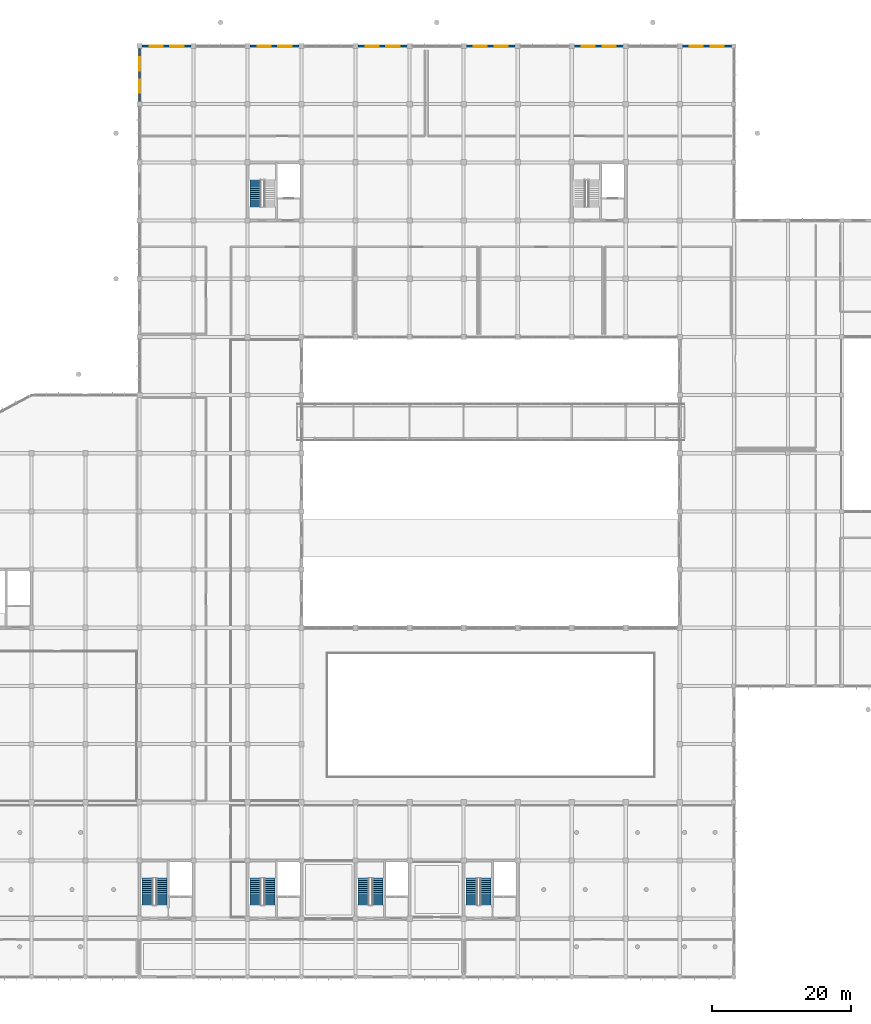
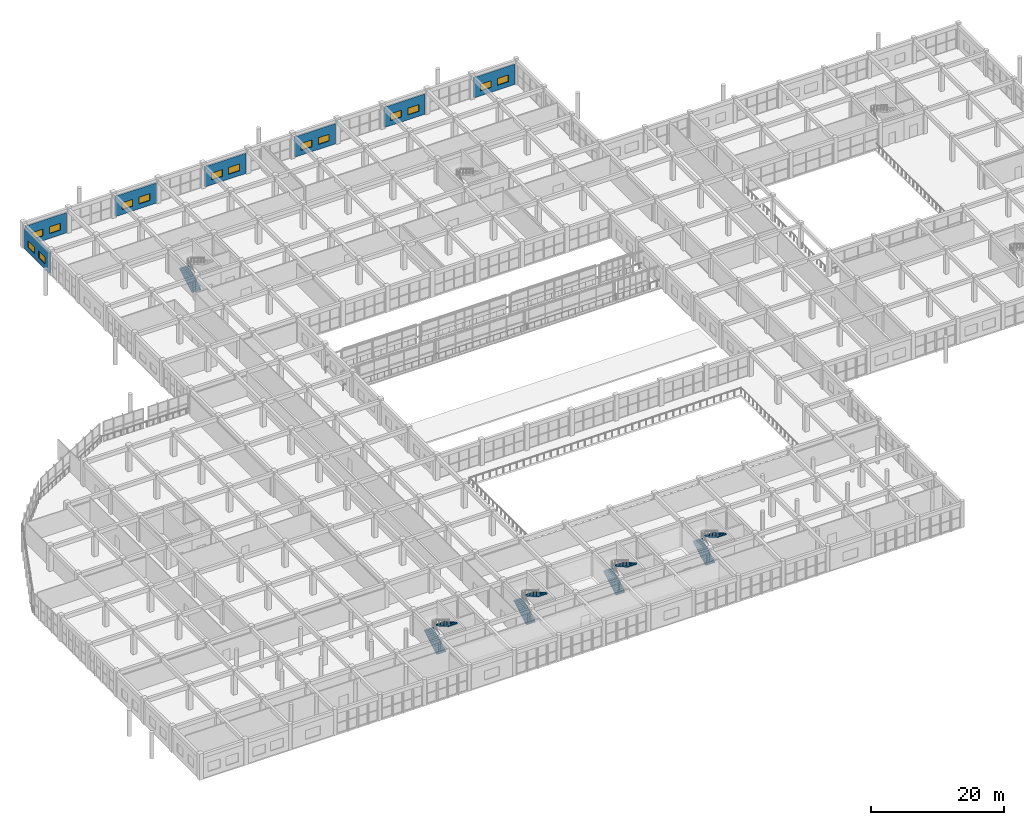
# One storey, part 159 of 167: 14 windows, 9 stair flights, 7 walls, 14 openings, 5 elements without a shape of their own.
"""IFC4 building model written with IfcOpenShell, lengths in metres."""

import ifcopenshell
import ifcopenshell.guid

model = None  # the IFC model being written
_history = None  # IfcOwnerHistory: only IFC2X3 demands one
_inside = {}  # id of a spatial element -> (the spatial element, [elements in it])
_under = {}  # id of a project, library or spatial element -> (it, [spatial elements below it])
_declared = {}  # id of a project -> (the project, [libraries it declares])
_typed = {}  # id of a type object -> (the type object, [elements of that type])
_made_of = {}  # id of a material, layer set ... -> (it, [elements and type objects made of it])


def new_model(schema):
    """Start an empty IFC model of exactly this schema.

    Asked for "IFC4X3", IfcOpenShell would pick the latest addendum, in which some entities
    have other attributes; the version numbers below select the first issue.
    IFC2X3 requires an IfcOwnerHistory on every rooted entity: one is made here for all.
    """
    global model, _history
    if schema == "IFC4X3":
        model = ifcopenshell.file(schema_version=(4, 3, 0, 0))
    else:
        model = ifcopenshell.file(schema=schema)
    _inside.clear()
    _under.clear()
    _declared.clear()
    _typed.clear()
    _made_of.clear()
    _history = None
    if model.schema == "IFC2X3":
        org = make("IfcOrganization", Name="unknown")
        user = make(
            "IfcPersonAndOrganization",
            ThePerson=make("IfcPerson", FamilyName="unknown"),
            TheOrganization=org,
        )
        app = make(
            "IfcApplication",
            ApplicationDeveloper=org,
            Version="unknown",
            ApplicationFullName="unknown",
            ApplicationIdentifier="unknown",
        )
        _history = make(
            "IfcOwnerHistory",
            OwningUser=user,
            OwningApplication=app,
            ChangeAction="ADDED",
            CreationDate=0,
        )
    return model


def make(cls, **values):
    """One entity of the class cls with the attributes given. An attribute that is None is left unset."""
    return model.create_entity(
        cls, **{name: value for name, value in values.items() if value is not None}
    )


def rooted(cls, **values):
    """An entity with a GlobalId (a new one), such as an element, a storey or a relation."""
    return make(cls, GlobalId=ifcopenshell.guid.new(), OwnerHistory=_history, **values)


def si_unit(unit_type, name, prefix=None):
    """IfcSIUnit, for example si_unit("LENGTHUNIT", "METRE", prefix="MILLI")."""
    return make("IfcSIUnit", UnitType=unit_type, Prefix=prefix, Name=name)


def assignment(units):
    """IfcUnitAssignment: the units of a project."""
    return None if units is None else make("IfcUnitAssignment", Units=units)


def point(xyz):
    """IfcCartesianPoint."""
    return None if xyz is None else make("IfcCartesianPoint", Coordinates=xyz)


def direction(xyz):
    """IfcDirection."""
    return None if xyz is None else make("IfcDirection", DirectionRatios=xyz)


def frame(location, z_axis=None, x_axis=None):
    """IfcAxis2Placement3D, a coordinate frame: its origin and axes. An axis left out is left unset."""
    return make(
        "IfcAxis2Placement3D",
        Location=point(location),
        Axis=direction(z_axis),
        RefDirection=direction(x_axis),
    )


def frame_2d(location, x_axis=None):
    """IfcAxis2Placement2D, a coordinate frame in the plane: its origin and x axis."""
    return make(
        "IfcAxis2Placement2D", Location=point(location), RefDirection=direction(x_axis)
    )


def origin():
    """The frame at (0, 0, 0) with its axes left unset."""
    return frame((0.0, 0.0, 0.0))


def place(relative_to, where):
    """IfcLocalPlacement: puts the frame where relative to a parent placement (None: the world)."""
    return make(
        "IfcLocalPlacement", PlacementRelTo=relative_to, RelativePlacement=where
    )


def context(
    kind, dimensions, precision=None, world=None, true_north=None, identifier=None
):
    """IfcGeometricRepresentationContext, for example the 3D "Model" context."""
    return make(
        "IfcGeometricRepresentationContext",
        ContextIdentifier=identifier,
        ContextType=kind,
        CoordinateSpaceDimension=dimensions,
        Precision=precision,
        WorldCoordinateSystem=world,
        TrueNorth=true_north,
    )


def subcontext(parent, identifier, kind, view, scale=None):
    """IfcGeometricRepresentationSubContext, for example "Body" below "Model"."""
    return make(
        "IfcGeometricRepresentationSubContext",
        ContextIdentifier=identifier,
        ContextType=kind,
        ParentContext=parent,
        TargetScale=scale,
        TargetView=view,
    )


def project(units=None, contexts=None):
    """IfcProject with its units and contexts."""
    return rooted(
        "IfcProject",
        Name="project",
        RepresentationContexts=contexts,
        UnitsInContext=assignment(units),
    )


def spatial(cls, under=None, at=None, **own):
    """A site, building, storey or space (cls), placed at a placement, below another one or the project."""
    s = rooted(cls, ObjectPlacement=at, **own)
    if under is not None:
        _under.setdefault(under.id(), (under, []))[1].append(s)
    return s


def polyline(points):
    """IfcPolyline through the points."""
    return make("IfcPolyline", Points=[point(p) for p in points])


def profile(cls, at=None, kind="AREA", **sizes):
    """A parametric profile (cls). Its sizes go by their IFC names, for example OverallWidth=200.0."""
    return make(cls, ProfileType=kind, Position=at, **sizes)


def rectangle(**sizes):
    """IfcRectangleProfileDef."""
    return profile("IfcRectangleProfileDef", **sizes)


def outline(outer, holes=None, kind="AREA"):
    """IfcArbitraryClosedProfileDef: a profile drawn as a closed curve; with holes, ...WithVoids."""
    if holes is None:
        return make("IfcArbitraryClosedProfileDef", ProfileType=kind, OuterCurve=outer)
    return make(
        "IfcArbitraryProfileDefWithVoids",
        ProfileType=kind,
        OuterCurve=outer,
        InnerCurves=holes,
    )


def extrude(swept, where, along, depth):
    """IfcExtrudedAreaSolid: the profile swept, set in the frame where, extruded along a direction by depth."""
    return make(
        "IfcExtrudedAreaSolid",
        SweptArea=swept,
        Position=where,
        ExtrudedDirection=direction(along),
        Depth=depth,
    )


def shape(context_of_items, identifier, shape_type, items):
    """IfcShapeRepresentation: the items that make up one representation, for example the "Body"."""
    return make(
        "IfcShapeRepresentation",
        ContextOfItems=context_of_items,
        RepresentationIdentifier=identifier,
        RepresentationType=shape_type,
        Items=items,
    )


def material(Name=None, Category=None):
    """IfcMaterial."""
    return make("IfcMaterial", Name=Name, Category=Category)


def layer(
    of_material, thickness, ventilated=None, Name=None, Category=None, Priority=None
):
    """IfcMaterialLayer: one layer of a wall or slab, of a material (None: an air gap)."""
    return make(
        "IfcMaterialLayer",
        Material=of_material,
        LayerThickness=thickness,
        IsVentilated=ventilated,
        Name=Name,
        Category=Category,
        Priority=Priority,
    )


def layer_set(layers, Name=None):
    """IfcMaterialLayerSet."""
    return make("IfcMaterialLayerSet", MaterialLayers=layers, LayerSetName=Name)


def made_of(thing, what):
    """Note that an element or type object is made of a material, layer set ...; save() writes the relation."""
    if what is not None:
        _made_of.setdefault(what.id(), (what, []))[1].append(thing)
    return thing


def type_object(cls, material=None, **own):
    """A type object (cls), such as IfcWallType, which elements share."""
    return made_of(rooted(cls, **own), material)


def element(
    cls,
    number,
    at=None,
    inside=None,
    cuts=None,
    type_object=None,
    material=None,
    context=None,
    identifier="Body",
    shape_type=None,
    held_by="IfcProductDefinitionShape",
    body=None,
    shapes=None,
    **own,
):
    """One element of the class cls, such as IfcWall. Its Tag is "e" and its number.

    at: its placement. inside: the storey or other place that contains it. cuts: it is an
    opening in that element (IfcRelVoidsElement). A single representation is given by context,
    identifier, shape_type and body (its items); several are given by shapes. held_by: the class
    of the entity that holds the representations. save() writes the other relations.
    """
    e = rooted(cls, Tag="e%d" % number, ObjectPlacement=at, **own)
    if body is not None:
        shapes = [shape(context, identifier, shape_type, body)]
    if shapes is not None:
        e.Representation = make(held_by, Representations=shapes)
    if inside is not None:
        _inside.setdefault(inside.id(), (inside, []))[1].append(e)
    if cuts is not None:
        rooted(
            "IfcRelVoidsElement", RelatingBuildingElement=cuts, RelatedOpeningElement=e
        )
    if type_object is not None:
        _typed.setdefault(type_object.id(), (type_object, []))[1].append(e)
    return made_of(e, material)


def fill(opening, filler):
    """IfcRelFillsElement: the door or window that sits in an opening."""
    return rooted(
        "IfcRelFillsElement",
        RelatingOpeningElement=opening,
        RelatedBuildingElement=filler,
    )


def aggregate(whole, parts):
    """IfcRelAggregates: a whole, such as a stair, and the parts it consists of."""
    return rooted("IfcRelAggregates", RelatingObject=whole, RelatedObjects=parts)


def save(model, path):
    """Write the relations noted so far, then the file.

    IfcRelAggregates (storeys below a building ...), IfcRelContainedInSpatialStructure (elements
    in a storey), IfcRelDefinesByType, IfcRelAssociatesMaterial and IfcRelDeclares: one each for
    every whole, place, type object, material and project.
    """
    for whole, parts in _under.values():
        aggregate(whole, parts)
    for where, things in _inside.values():
        rooted(
            "IfcRelContainedInSpatialStructure",
            RelatedElements=things,
            RelatingStructure=where,
        )
    for kind, things in _typed.values():
        rooted("IfcRelDefinesByType", RelatedObjects=things, RelatingType=kind)
    for what, things in _made_of.values():
        rooted("IfcRelAssociatesMaterial", RelatedObjects=things, RelatingMaterial=what)
    for by, libraries in _declared.values():
        rooted("IfcRelDeclares", RelatingContext=by, RelatedDefinitions=libraries)
    model.write(path)


model = new_model("IFC4")

# Units and contexts
model_context = context("Model", 3, precision=1e-05, world=origin(), true_north=direction((0.0, 1.0)))
body_context = subcontext(model_context, "Body", "Model", "MODEL_VIEW")
ifc_project = project(units=[si_unit("LENGTHUNIT", "METRE"), si_unit("AREAUNIT", "SQUARE_METRE"), si_unit("VOLUMEUNIT", "CUBIC_METRE"), si_unit("PLANEANGLEUNIT", "RADIAN"), si_unit("MASSUNIT", "GRAM", prefix="KILO")], contexts=[model_context])

# Site, building, storey
site_placement = place(None, origin())
site = spatial("IfcSite", under=ifc_project, at=site_placement, CompositionType="ELEMENT")
building_placement = place(site_placement, origin())
building = spatial("IfcBuilding", under=site, at=building_placement, Name="Zizhar Promenade General Hospital", CompositionType="ELEMENT")
storey_placement = place(building_placement, frame((0.0, 0.0, 9.60009765625)))
storey = spatial("IfcBuildingStorey", under=building, at=storey_placement, Name="L02", CompositionType="ELEMENT", Elevation=9.60009765625)

# Wall, openings, windows
ifc_material_1 = material(Name="Precast concrete C40/50", Category="concrete")
ifc_layer = layer(ifc_material_1, 0.27490234375)
ifc_layer_set = layer_set([ifc_layer], Name="Precast concrete C40/50")
wall_type = type_object("IfcWallType", Name="EW-PC-275", PredefinedType="STANDARD", material=ifc_layer_set)
wall_1_placement = place(storey_placement, frame((46.800048828125, 126.340087890625, 0.0), z_axis=(0.0, 0.0, 1.0), x_axis=(0.0, 1.0, 0.0)))
wall_1 = element("IfcWall", 1, at=wall_1_placement, inside=storey, type_object=wall_type, Name="Surgical West Wall L02-15", PredefinedType="STANDARD", context=body_context, shape_type="SweptSolid", body=[
    extrude(rectangle(XDim=7.719970703125, YDim=0.27490234375, at=frame_2d((3.85986328125, 0.0))), origin(), (0.0, 0.0, 1.0), 3.71484375),
])
opening_1_placement = place(wall_1_placement, frame((1.306640625, 0.0, 0.89990234375)))
opening_1 = element("IfcOpeningElement", 2, at=opening_1_placement, cuts=wall_1, Name="Opening W-24", PredefinedType="OPENING", context=body_context, shape_type="SweptSolid", body=[
    extrude(rectangle(XDim=1.89990234375, YDim=1.25, at=frame_2d((0.949951171875, 0.625))), frame((0.0, 0.1474609375, 0.0), z_axis=(0.0, -1.0, 0.0), x_axis=(1.0, 0.0, 0.0)), (0.0, 0.0, 1.0), 0.294921875),
])
opening_2_placement = place(wall_1_placement, frame((4.51318359375, 0.0, 0.89990234375)))
opening_2 = element("IfcOpeningElement", 3, at=opening_2_placement, cuts=wall_1, Name="Opening W-24", PredefinedType="OPENING", context=body_context, shape_type="SweptSolid", body=[
    extrude(rectangle(XDim=1.89990234375, YDim=1.25, at=frame_2d((0.949951171875, 0.625))), frame((0.0, 0.1474609375, 0.0), z_axis=(0.0, -1.0, 0.0), x_axis=(1.0, 0.0, 0.0)), (0.0, 0.0, 1.0), 0.294921875),
])
ifc_material_2 = material(Name="Anodised aluminium 6063-T6 and low-E glass", Category="aluminium")
window_type = type_object("IfcWindowType", Name="WIN-OR-190x125", PartitioningType="DOUBLE_PANEL_VERTICAL", PredefinedType="WINDOW", material=ifc_material_2)
window_1_placement = place(opening_1_placement, origin())
window_1 = element("IfcWindow", 4, at=window_1_placement, inside=storey, type_object=window_type, Name="Surgical West Wall L02-15 Window 1", OverallHeight=1.25, OverallWidth=1.89990234375, PartitioningType="SINGLE_PANEL", PredefinedType="WINDOW", context=body_context, shape_type="SweptSolid", body=[
    extrude(rectangle(XDim=1.89990234375, YDim=1.25, at=frame_2d((0.949951171875, 0.625))), frame((0.0, 0.030029296875, 0.0), z_axis=(0.0, -1.0, 0.0), x_axis=(1.0, 0.0, 0.0)), (0.0, 0.0, 1.0), 0.06005859375),
])
fill(opening_1, window_1)
window_2_placement = place(opening_2_placement, origin())
window_2 = element("IfcWindow", 5, at=window_2_placement, inside=storey, type_object=window_type, Name="Surgical West Wall L02-15 Window 2", OverallHeight=1.25, OverallWidth=1.89990234375, PartitioningType="SINGLE_PANEL", PredefinedType="WINDOW", context=body_context, shape_type="SweptSolid", body=[
    extrude(rectangle(XDim=1.89990234375, YDim=1.25, at=frame_2d((0.949951171875, 0.625))), frame((0.0, 0.030029296875, 0.0), z_axis=(0.0, -1.0, 0.0), x_axis=(1.0, 0.0, 0.0)), (0.0, 0.0, 1.0), 0.06005859375),
])
fill(opening_2, window_2)

wall_2_placement = place(storey_placement, frame((47.139892578125, 134.39990234375, 0.0), z_axis=(0.0, 0.0, 1.0), x_axis=(1.0, 0.0, 0.0)))
wall_2 = element("IfcWall", 6, at=wall_2_placement, inside=storey, type_object=wall_type, Name="Surgical North Wall L02-6", PredefinedType="STANDARD", context=body_context, shape_type="SweptSolid", body=[
    extrude(rectangle(XDim=7.1201171875, YDim=0.27490234375, at=frame_2d((3.56005859375, 0.0))), origin(), (0.0, 0.0, 1.0), 3.72998046875),
])
opening_3_placement = place(wall_2_placement, frame((1.106689453125, 0.0, 0.89990234375)))
opening_3 = element("IfcOpeningElement", 7, at=opening_3_placement, cuts=wall_2, Name="Opening W-24", PredefinedType="OPENING", context=body_context, shape_type="SweptSolid", body=[
    extrude(rectangle(XDim=1.89990234375, YDim=1.25, at=frame_2d((0.949951171875, 0.625))), frame((0.0, 0.1474609375, 0.0), z_axis=(0.0, -1.0, 0.0), x_axis=(1.0, 0.0, 0.0)), (0.0, 0.0, 1.0), 0.294921875),
])
opening_4_placement = place(wall_2_placement, frame((4.11328125, 0.0, 0.89990234375)))
opening_4 = element("IfcOpeningElement", 8, at=opening_4_placement, cuts=wall_2, Name="Opening W-24", PredefinedType="OPENING", context=body_context, shape_type="SweptSolid", body=[
    extrude(rectangle(XDim=1.89990234375, YDim=1.25, at=frame_2d((0.949951171875, 0.625))), frame((0.0, 0.1474609375, 0.0), z_axis=(0.0, -1.0, 0.0), x_axis=(1.0, 0.0, 0.0)), (0.0, 0.0, 1.0), 0.294921875),
])
window_3_placement = place(opening_3_placement, origin())
window_3 = element("IfcWindow", 9, at=window_3_placement, inside=storey, type_object=window_type, Name="Surgical North Wall L02-6 Window 1", OverallHeight=1.25, OverallWidth=1.89990234375, PartitioningType="SINGLE_PANEL", PredefinedType="WINDOW", context=body_context, shape_type="SweptSolid", body=[
    extrude(rectangle(XDim=1.89990234375, YDim=1.25, at=frame_2d((0.949951171875, 0.625))), frame((0.0, 0.030029296875, 0.0), z_axis=(0.0, -1.0, 0.0), x_axis=(1.0, 0.0, 0.0)), (0.0, 0.0, 1.0), 0.06005859375),
])
fill(opening_3, window_3)
window_4_placement = place(opening_4_placement, origin())
window_4 = element("IfcWindow", 10, at=window_4_placement, inside=storey, type_object=window_type, Name="Surgical North Wall L02-6 Window 2", OverallHeight=1.25, OverallWidth=1.89990234375, PartitioningType="SINGLE_PANEL", PredefinedType="WINDOW", context=body_context, shape_type="SweptSolid", body=[
    extrude(rectangle(XDim=1.89990234375, YDim=1.25, at=frame_2d((0.949951171875, 0.625))), frame((0.0, 0.030029296875, 0.0), z_axis=(0.0, -1.0, 0.0), x_axis=(1.0, 0.0, 0.0)), (0.0, 0.0, 1.0), 0.06005859375),
])
fill(opening_4, window_4)

wall_3_placement = place(storey_placement, frame((62.739990234375, 134.39990234375, 0.0), z_axis=(0.0, 0.0, 1.0), x_axis=(1.0, 0.0, 0.0)))
wall_3 = element("IfcWall", 11, at=wall_3_placement, inside=storey, type_object=wall_type, Name="Surgical North Wall L02-8", PredefinedType="STANDARD", context=body_context, shape_type="SweptSolid", body=[
    extrude(rectangle(XDim=7.1201171875, YDim=0.27490234375, at=frame_2d((3.56005859375, 0.0))), origin(), (0.0, 0.0, 1.0), 3.72998046875),
])
opening_5_placement = place(wall_3_placement, frame((1.106689453125, 0.0, 0.89990234375)))
opening_5 = element("IfcOpeningElement", 12, at=opening_5_placement, cuts=wall_3, Name="Opening W-24", PredefinedType="OPENING", context=body_context, shape_type="SweptSolid", body=[
    extrude(rectangle(XDim=1.89990234375, YDim=1.25, at=frame_2d((0.949951171875, 0.625))), frame((0.0, 0.1474609375, 0.0), z_axis=(0.0, -1.0, 0.0), x_axis=(1.0, 0.0, 0.0)), (0.0, 0.0, 1.0), 0.294921875),
])
opening_6_placement = place(wall_3_placement, frame((4.11328125, 0.0, 0.89990234375)))
opening_6 = element("IfcOpeningElement", 13, at=opening_6_placement, cuts=wall_3, Name="Opening W-24", PredefinedType="OPENING", context=body_context, shape_type="SweptSolid", body=[
    extrude(rectangle(XDim=1.89990234375, YDim=1.25, at=frame_2d((0.949951171875, 0.625))), frame((0.0, 0.1474609375, 0.0), z_axis=(0.0, -1.0, 0.0), x_axis=(1.0, 0.0, 0.0)), (0.0, 0.0, 1.0), 0.294921875),
])
window_5_placement = place(opening_5_placement, origin())
window_5 = element("IfcWindow", 14, at=window_5_placement, inside=storey, type_object=window_type, Name="Surgical North Wall L02-8 Window 1", OverallHeight=1.25, OverallWidth=1.89990234375, PartitioningType="SINGLE_PANEL", PredefinedType="WINDOW", context=body_context, shape_type="SweptSolid", body=[
    extrude(rectangle(XDim=1.89990234375, YDim=1.25, at=frame_2d((0.949951171875, 0.625))), frame((0.0, 0.030029296875, 0.0), z_axis=(0.0, -1.0, 0.0), x_axis=(1.0, 0.0, 0.0)), (0.0, 0.0, 1.0), 0.06005859375),
])
fill(opening_5, window_5)
window_6_placement = place(opening_6_placement, origin())
window_6 = element("IfcWindow", 15, at=window_6_placement, inside=storey, type_object=window_type, Name="Surgical North Wall L02-8 Window 2", OverallHeight=1.25, OverallWidth=1.89990234375, PartitioningType="SINGLE_PANEL", PredefinedType="WINDOW", context=body_context, shape_type="SweptSolid", body=[
    extrude(rectangle(XDim=1.89990234375, YDim=1.25, at=frame_2d((0.949951171875, 0.625))), frame((0.0, 0.030029296875, 0.0), z_axis=(0.0, -1.0, 0.0), x_axis=(1.0, 0.0, 0.0)), (0.0, 0.0, 1.0), 0.06005859375),
])
fill(opening_6, window_6)

wall_4_placement = place(storey_placement, frame((78.340087890625, 134.39990234375, 0.0), z_axis=(0.0, 0.0, 1.0), x_axis=(1.0, 0.0, 0.0)))
wall_4 = element("IfcWall", 16, at=wall_4_placement, inside=storey, type_object=wall_type, Name="Surgical North Wall L02-10", PredefinedType="STANDARD", context=body_context, shape_type="SweptSolid", body=[
    extrude(rectangle(XDim=7.119873046875, YDim=0.27490234375, at=frame_2d((3.56005859375, 0.0))), origin(), (0.0, 0.0, 1.0), 3.72998046875),
])
opening_7_placement = place(wall_4_placement, frame((1.106689453125, 0.0, 0.89990234375)))
opening_7 = element("IfcOpeningElement", 17, at=opening_7_placement, cuts=wall_4, Name="Opening W-24", PredefinedType="OPENING", context=body_context, shape_type="SweptSolid", body=[
    extrude(rectangle(XDim=1.89990234375, YDim=1.25, at=frame_2d((0.949951171875, 0.625))), frame((0.0, 0.1474609375, 0.0), z_axis=(0.0, -1.0, 0.0), x_axis=(1.0, 0.0, 0.0)), (0.0, 0.0, 1.0), 0.294921875),
])
opening_8_placement = place(wall_4_placement, frame((4.11328125, 0.0, 0.89990234375)))
opening_8 = element("IfcOpeningElement", 18, at=opening_8_placement, cuts=wall_4, Name="Opening W-24", PredefinedType="OPENING", context=body_context, shape_type="SweptSolid", body=[
    extrude(rectangle(XDim=1.89990234375, YDim=1.25, at=frame_2d((0.949951171875, 0.625))), frame((0.0, 0.1474609375, 0.0), z_axis=(0.0, -1.0, 0.0), x_axis=(1.0, 0.0, 0.0)), (0.0, 0.0, 1.0), 0.294921875),
])
window_7_placement = place(opening_7_placement, origin())
window_7 = element("IfcWindow", 19, at=window_7_placement, inside=storey, type_object=window_type, Name="Surgical North Wall L02-10 Window 1", OverallHeight=1.25, OverallWidth=1.89990234375, PartitioningType="SINGLE_PANEL", PredefinedType="WINDOW", context=body_context, shape_type="SweptSolid", body=[
    extrude(rectangle(XDim=1.89990234375, YDim=1.25, at=frame_2d((0.949951171875, 0.625))), frame((0.0, 0.030029296875, 0.0), z_axis=(0.0, -1.0, 0.0), x_axis=(1.0, 0.0, 0.0)), (0.0, 0.0, 1.0), 0.06005859375),
])
fill(opening_7, window_7)
window_8_placement = place(opening_8_placement, origin())
window_8 = element("IfcWindow", 20, at=window_8_placement, inside=storey, type_object=window_type, Name="Surgical North Wall L02-10 Window 2", OverallHeight=1.25, OverallWidth=1.89990234375, PartitioningType="SINGLE_PANEL", PredefinedType="WINDOW", context=body_context, shape_type="SweptSolid", body=[
    extrude(rectangle(XDim=1.89990234375, YDim=1.25, at=frame_2d((0.949951171875, 0.625))), frame((0.0, 0.030029296875, 0.0), z_axis=(0.0, -1.0, 0.0), x_axis=(1.0, 0.0, 0.0)), (0.0, 0.0, 1.0), 0.06005859375),
])
fill(opening_8, window_8)

wall_5_placement = place(storey_placement, frame((93.93994140625, 134.39990234375, 0.0), z_axis=(0.0, 0.0, 1.0), x_axis=(1.0, 0.0, 0.0)))
wall_5 = element("IfcWall", 21, at=wall_5_placement, inside=storey, type_object=wall_type, Name="Surgical North Wall L02-12", PredefinedType="STANDARD", context=body_context, shape_type="SweptSolid", body=[
    extrude(rectangle(XDim=7.1201171875, YDim=0.27490234375, at=frame_2d((3.56005859375, 0.0))), origin(), (0.0, 0.0, 1.0), 3.72998046875),
])
opening_9_placement = place(wall_5_placement, frame((1.106689453125, 0.0, 0.89990234375)))
opening_9 = element("IfcOpeningElement", 22, at=opening_9_placement, cuts=wall_5, Name="Opening W-24", PredefinedType="OPENING", context=body_context, shape_type="SweptSolid", body=[
    extrude(rectangle(XDim=1.89990234375, YDim=1.25, at=frame_2d((0.949951171875, 0.625))), frame((0.0, 0.1474609375, 0.0), z_axis=(0.0, -1.0, 0.0), x_axis=(1.0, 0.0, 0.0)), (0.0, 0.0, 1.0), 0.294921875),
])
opening_10_placement = place(wall_5_placement, frame((4.11328125, 0.0, 0.89990234375)))
opening_10 = element("IfcOpeningElement", 23, at=opening_10_placement, cuts=wall_5, Name="Opening W-24", PredefinedType="OPENING", context=body_context, shape_type="SweptSolid", body=[
    extrude(rectangle(XDim=1.89990234375, YDim=1.25, at=frame_2d((0.949951171875, 0.625))), frame((0.0, 0.1474609375, 0.0), z_axis=(0.0, -1.0, 0.0), x_axis=(1.0, 0.0, 0.0)), (0.0, 0.0, 1.0), 0.294921875),
])
window_9_placement = place(opening_9_placement, origin())
window_9 = element("IfcWindow", 24, at=window_9_placement, inside=storey, type_object=window_type, Name="Surgical North Wall L02-12 Window 1", OverallHeight=1.25, OverallWidth=1.89990234375, PartitioningType="SINGLE_PANEL", PredefinedType="WINDOW", context=body_context, shape_type="SweptSolid", body=[
    extrude(rectangle(XDim=1.89990234375, YDim=1.25, at=frame_2d((0.949951171875, 0.625))), frame((0.0, 0.030029296875, 0.0), z_axis=(0.0, -1.0, 0.0), x_axis=(1.0, 0.0, 0.0)), (0.0, 0.0, 1.0), 0.06005859375),
])
fill(opening_9, window_9)
window_10_placement = place(opening_10_placement, origin())
window_10 = element("IfcWindow", 25, at=window_10_placement, inside=storey, type_object=window_type, Name="Surgical North Wall L02-12 Window 2", OverallHeight=1.25, OverallWidth=1.89990234375, PartitioningType="SINGLE_PANEL", PredefinedType="WINDOW", context=body_context, shape_type="SweptSolid", body=[
    extrude(rectangle(XDim=1.89990234375, YDim=1.25, at=frame_2d((0.949951171875, 0.625))), frame((0.0, 0.030029296875, 0.0), z_axis=(0.0, -1.0, 0.0), x_axis=(1.0, 0.0, 0.0)), (0.0, 0.0, 1.0), 0.06005859375),
])
fill(opening_10, window_10)

wall_6_placement = place(storey_placement, frame((109.5400390625, 134.39990234375, 0.0), z_axis=(0.0, 0.0, 1.0), x_axis=(1.0, 0.0, 0.0)))
wall_6 = element("IfcWall", 26, at=wall_6_placement, inside=storey, type_object=wall_type, Name="Surgical North Wall L02-14", PredefinedType="STANDARD", context=body_context, shape_type="SweptSolid", body=[
    extrude(rectangle(XDim=7.119873046875, YDim=0.27490234375, at=frame_2d((3.56005859375, 0.0))), origin(), (0.0, 0.0, 1.0), 3.72998046875),
])
opening_11_placement = place(wall_6_placement, frame((1.106689453125, 0.0, 0.89990234375)))
opening_11 = element("IfcOpeningElement", 27, at=opening_11_placement, cuts=wall_6, Name="Opening W-24", PredefinedType="OPENING", context=body_context, shape_type="SweptSolid", body=[
    extrude(rectangle(XDim=1.89990234375, YDim=1.25, at=frame_2d((0.949951171875, 0.625))), frame((0.0, 0.1474609375, 0.0), z_axis=(0.0, -1.0, 0.0), x_axis=(1.0, 0.0, 0.0)), (0.0, 0.0, 1.0), 0.294921875),
])
opening_12_placement = place(wall_6_placement, frame((4.11328125, 0.0, 0.89990234375)))
opening_12 = element("IfcOpeningElement", 28, at=opening_12_placement, cuts=wall_6, Name="Opening W-24", PredefinedType="OPENING", context=body_context, shape_type="SweptSolid", body=[
    extrude(rectangle(XDim=1.89990234375, YDim=1.25, at=frame_2d((0.949951171875, 0.625))), frame((0.0, 0.1474609375, 0.0), z_axis=(0.0, -1.0, 0.0), x_axis=(1.0, 0.0, 0.0)), (0.0, 0.0, 1.0), 0.294921875),
])
window_11_placement = place(opening_11_placement, origin())
window_11 = element("IfcWindow", 29, at=window_11_placement, inside=storey, type_object=window_type, Name="Surgical North Wall L02-14 Window 1", OverallHeight=1.25, OverallWidth=1.89990234375, PartitioningType="SINGLE_PANEL", PredefinedType="WINDOW", context=body_context, shape_type="SweptSolid", body=[
    extrude(rectangle(XDim=1.89990234375, YDim=1.25, at=frame_2d((0.949951171875, 0.625))), frame((0.0, 0.030029296875, 0.0), z_axis=(0.0, -1.0, 0.0), x_axis=(1.0, 0.0, 0.0)), (0.0, 0.0, 1.0), 0.06005859375),
])
fill(opening_11, window_11)
window_12_placement = place(opening_12_placement, origin())
window_12 = element("IfcWindow", 30, at=window_12_placement, inside=storey, type_object=window_type, Name="Surgical North Wall L02-14 Window 2", OverallHeight=1.25, OverallWidth=1.89990234375, PartitioningType="SINGLE_PANEL", PredefinedType="WINDOW", context=body_context, shape_type="SweptSolid", body=[
    extrude(rectangle(XDim=1.89990234375, YDim=1.25, at=frame_2d((0.949951171875, 0.625))), frame((0.0, 0.030029296875, 0.0), z_axis=(0.0, -1.0, 0.0), x_axis=(1.0, 0.0, 0.0)), (0.0, 0.0, 1.0), 0.06005859375),
])
fill(opening_12, window_12)

wall_7_placement = place(storey_placement, frame((125.139892578125, 134.39990234375, 0.0), z_axis=(0.0, 0.0, 1.0), x_axis=(1.0, 0.0, 0.0)))
wall_7 = element("IfcWall", 31, at=wall_7_placement, inside=storey, type_object=wall_type, Name="Surgical North Wall L02-16", PredefinedType="STANDARD", context=body_context, shape_type="SweptSolid", body=[
    extrude(rectangle(XDim=7.1201171875, YDim=0.27490234375, at=frame_2d((3.56005859375, 0.0))), origin(), (0.0, 0.0, 1.0), 3.72998046875),
])
opening_13_placement = place(wall_7_placement, frame((1.106689453125, 0.0, 0.89990234375)))
opening_13 = element("IfcOpeningElement", 32, at=opening_13_placement, cuts=wall_7, Name="Opening W-24", PredefinedType="OPENING", context=body_context, shape_type="SweptSolid", body=[
    extrude(rectangle(XDim=1.89990234375, YDim=1.25, at=frame_2d((0.949951171875, 0.625))), frame((0.0, 0.1474609375, 0.0), z_axis=(0.0, -1.0, 0.0), x_axis=(1.0, 0.0, 0.0)), (0.0, 0.0, 1.0), 0.294921875),
])
opening_14_placement = place(wall_7_placement, frame((4.11328125, 0.0, 0.89990234375)))
opening_14 = element("IfcOpeningElement", 33, at=opening_14_placement, cuts=wall_7, Name="Opening W-24", PredefinedType="OPENING", context=body_context, shape_type="SweptSolid", body=[
    extrude(rectangle(XDim=1.89990234375, YDim=1.25, at=frame_2d((0.949951171875, 0.625))), frame((0.0, 0.1474609375, 0.0), z_axis=(0.0, -1.0, 0.0), x_axis=(1.0, 0.0, 0.0)), (0.0, 0.0, 1.0), 0.294921875),
])
window_13_placement = place(opening_13_placement, origin())
window_13 = element("IfcWindow", 34, at=window_13_placement, inside=storey, type_object=window_type, Name="Surgical North Wall L02-16 Window 1", OverallHeight=1.25, OverallWidth=1.89990234375, PartitioningType="SINGLE_PANEL", PredefinedType="WINDOW", context=body_context, shape_type="SweptSolid", body=[
    extrude(rectangle(XDim=1.89990234375, YDim=1.25, at=frame_2d((0.949951171875, 0.625))), frame((0.0, 0.030029296875, 0.0), z_axis=(0.0, -1.0, 0.0), x_axis=(1.0, 0.0, 0.0)), (0.0, 0.0, 1.0), 0.06005859375),
])
fill(opening_13, window_13)
window_14_placement = place(opening_14_placement, origin())
window_14 = element("IfcWindow", 35, at=window_14_placement, inside=storey, type_object=window_type, Name="Surgical North Wall L02-16 Window 2", OverallHeight=1.25, OverallWidth=1.89990234375, PartitioningType="SINGLE_PANEL", PredefinedType="WINDOW", context=body_context, shape_type="SweptSolid", body=[
    extrude(rectangle(XDim=1.89990234375, YDim=1.25, at=frame_2d((0.949951171875, 0.625))), frame((0.0, 0.030029296875, 0.0), z_axis=(0.0, -1.0, 0.0), x_axis=(1.0, 0.0, 0.0)), (0.0, 0.0, 1.0), 0.06005859375),
])
fill(opening_14, window_14)

# Stair, stair flights
ifc_material_3 = material(Name="Concrete C35/45", Category="concrete")
stair_type = type_object("IfcStairType", Name="STR-DOG-480", PredefinedType="HALF_TURN_STAIR", material=ifc_material_3)
stair_1_placement = place(storey_placement, origin())
stair_1 = element("IfcStair", 36, at=stair_1_placement, inside=storey, type_object=stair_type, Name="Exit Stair ST-02 (L02 to L03)", PredefinedType="HALF_TURN_STAIR")
ifc_material_4 = material(Name="Concrete C35/45", Category="concrete")
stair_flight_type = type_object("IfcStairFlightType", Name="SFL-DOG-480", PredefinedType="STRAIGHT", material=ifc_material_4)
stair_flight_1_placement = place(storey_placement, frame((47.949951171875, 10.35009765625, 0.0), z_axis=(0.0, 0.0, 1.0), x_axis=(0.0, 1.0, 0.0)))
stair_flight_1 = element("IfcStairFlight", 37, at=stair_flight_1_placement, type_object=stair_flight_type, Name="ST-02A flight 1", NumberOfRisers=14, NumberOfTreads=13, PredefinedType="STRAIGHT", RiserHeight=0.171429, TreadLength=0.3, context=body_context, shape_type="SweptSolid", body=[
    extrude(outline(polyline([(0.0, 0.0), (0.0, 0.17138671875), (0.300048828125, 0.17138671875), (0.300048828125, 0.3427734375), (0.60009765625, 0.3427734375), (0.60009765625, 0.514404296875), (0.89990234375, 0.514404296875), (0.89990234375, 0.685791015625), (1.199951171875, 0.685791015625), (1.199951171875, 0.857177734375), (1.5, 0.857177734375), (1.5, 1.028564453125), (1.800048828125, 1.028564453125), (1.800048828125, 1.199951171875), (2.10009765625, 1.199951171875), (2.10009765625, 1.371337890625), (2.39990234375, 1.371337890625), (2.39990234375, 1.54296875), (2.699951171875, 1.54296875), (2.699951171875, 1.71435546875), (3.0, 1.71435546875), (3.0, 1.8857421875), (3.300048828125, 1.8857421875), (3.300048828125, 2.05712890625), (3.60009765625, 2.05712890625), (3.60009765625, 2.228515625), (3.89990234375, 2.228515625), (3.89990234375, 2.39990234375), (3.89990234375, 2.021240234375), (0.362548828125, 0.0), (0.0, 0.0)])), frame((0.0, 0.780029296875, 0.0), z_axis=(0.0, -1.0, 0.0), x_axis=(1.0, 0.0, 0.0)), (0.0, 0.0, 1.0), 1.56005859375),
])
stair_flight_2_placement = place(storey_placement, frame((49.989990234375, 14.25, 2.39990234375), z_axis=(0.0, 0.0, 1.0), x_axis=(0.0, -1.0, 0.0)))
stair_flight_2 = element("IfcStairFlight", 38, at=stair_flight_2_placement, type_object=stair_flight_type, Name="ST-02A flight 2", NumberOfRisers=14, NumberOfTreads=13, PredefinedType="STRAIGHT", RiserHeight=0.171429, TreadLength=0.3, context=body_context, shape_type="SweptSolid", body=[
    extrude(outline(polyline([(0.0, 0.0), (0.0, 0.17138671875), (0.300048828125, 0.17138671875), (0.300048828125, 0.3427734375), (0.60009765625, 0.3427734375), (0.60009765625, 0.514404296875), (0.89990234375, 0.514404296875), (0.89990234375, 0.685791015625), (1.199951171875, 0.685791015625), (1.199951171875, 0.857177734375), (1.5, 0.857177734375), (1.5, 1.028564453125), (1.800048828125, 1.028564453125), (1.800048828125, 1.199951171875), (2.10009765625, 1.199951171875), (2.10009765625, 1.371337890625), (2.39990234375, 1.371337890625), (2.39990234375, 1.54296875), (2.699951171875, 1.54296875), (2.699951171875, 1.71435546875), (3.0, 1.71435546875), (3.0, 1.8857421875), (3.300048828125, 1.8857421875), (3.300048828125, 2.05712890625), (3.60009765625, 2.05712890625), (3.60009765625, 2.228515625), (3.89990234375, 2.228515625), (3.89990234375, 2.39990234375), (3.89990234375, 2.021240234375), (0.362548828125, 0.0), (0.0, 0.0)])), frame((0.0, 0.780029296875, 0.0), z_axis=(0.0, -1.0, 0.0), x_axis=(1.0, 0.0, 0.0)), (0.0, 0.0, 1.0), 1.56005859375),
])
aggregate(stair_1, [stair_flight_1, stair_flight_2])

stair_2_placement = place(storey_placement, origin())
stair_2 = element("IfcStair", 39, at=stair_2_placement, inside=storey, type_object=stair_type, Name="Exit Stair ST-03 (L02 to L03)", PredefinedType="HALF_TURN_STAIR")
stair_flight_3_placement = place(storey_placement, frame((63.550048828125, 10.35009765625, 0.0), z_axis=(0.0, 0.0, 1.0), x_axis=(0.0, 1.0, 0.0)))
stair_flight_3 = element("IfcStairFlight", 40, at=stair_flight_3_placement, type_object=stair_flight_type, Name="ST-03A flight 1", NumberOfRisers=14, NumberOfTreads=13, PredefinedType="STRAIGHT", RiserHeight=0.171429, TreadLength=0.3, context=body_context, shape_type="SweptSolid", body=[
    extrude(outline(polyline([(0.0, 0.0), (0.0, 0.17138671875), (0.300048828125, 0.17138671875), (0.300048828125, 0.3427734375), (0.60009765625, 0.3427734375), (0.60009765625, 0.514404296875), (0.89990234375, 0.514404296875), (0.89990234375, 0.685791015625), (1.199951171875, 0.685791015625), (1.199951171875, 0.857177734375), (1.5, 0.857177734375), (1.5, 1.028564453125), (1.800048828125, 1.028564453125), (1.800048828125, 1.199951171875), (2.10009765625, 1.199951171875), (2.10009765625, 1.371337890625), (2.39990234375, 1.371337890625), (2.39990234375, 1.54296875), (2.699951171875, 1.54296875), (2.699951171875, 1.71435546875), (3.0, 1.71435546875), (3.0, 1.8857421875), (3.300048828125, 1.8857421875), (3.300048828125, 2.05712890625), (3.60009765625, 2.05712890625), (3.60009765625, 2.228515625), (3.89990234375, 2.228515625), (3.89990234375, 2.39990234375), (3.89990234375, 2.021240234375), (0.362548828125, 0.0), (0.0, 0.0)])), frame((0.0, 0.780029296875, 0.0), z_axis=(0.0, -1.0, 0.0), x_axis=(1.0, 0.0, 0.0)), (0.0, 0.0, 1.0), 1.56005859375),
])
stair_flight_4_placement = place(storey_placement, frame((65.590087890625, 14.25, 2.39990234375), z_axis=(0.0, 0.0, 1.0), x_axis=(0.0, -1.0, 0.0)))
stair_flight_4 = element("IfcStairFlight", 41, at=stair_flight_4_placement, type_object=stair_flight_type, Name="ST-03A flight 2", NumberOfRisers=14, NumberOfTreads=13, PredefinedType="STRAIGHT", RiserHeight=0.171429, TreadLength=0.3, context=body_context, shape_type="SweptSolid", body=[
    extrude(outline(polyline([(0.0, 0.0), (0.0, 0.17138671875), (0.300048828125, 0.17138671875), (0.300048828125, 0.3427734375), (0.60009765625, 0.3427734375), (0.60009765625, 0.514404296875), (0.89990234375, 0.514404296875), (0.89990234375, 0.685791015625), (1.199951171875, 0.685791015625), (1.199951171875, 0.857177734375), (1.5, 0.857177734375), (1.5, 1.028564453125), (1.800048828125, 1.028564453125), (1.800048828125, 1.199951171875), (2.10009765625, 1.199951171875), (2.10009765625, 1.371337890625), (2.39990234375, 1.371337890625), (2.39990234375, 1.54296875), (2.699951171875, 1.54296875), (2.699951171875, 1.71435546875), (3.0, 1.71435546875), (3.0, 1.8857421875), (3.300048828125, 1.8857421875), (3.300048828125, 2.05712890625), (3.60009765625, 2.05712890625), (3.60009765625, 2.228515625), (3.89990234375, 2.228515625), (3.89990234375, 2.39990234375), (3.89990234375, 2.021240234375), (0.362548828125, 0.0), (0.0, 0.0)])), frame((0.0, 0.780029296875, 0.0), z_axis=(0.0, -1.0, 0.0), x_axis=(1.0, 0.0, 0.0)), (0.0, 0.0, 1.0), 1.56005859375),
])
aggregate(stair_2, [stair_flight_3, stair_flight_4])

stair_3_placement = place(storey_placement, origin())
stair_3 = element("IfcStair", 42, at=stair_3_placement, inside=storey, type_object=stair_type, Name="Exit Stair ST-04 (L02 to L03)", PredefinedType="HALF_TURN_STAIR")
stair_flight_5_placement = place(storey_placement, frame((79.14990234375, 10.35009765625, 0.0), z_axis=(0.0, 0.0, 1.0), x_axis=(0.0, 1.0, 0.0)))
stair_flight_5 = element("IfcStairFlight", 43, at=stair_flight_5_placement, type_object=stair_flight_type, Name="ST-04A flight 1", NumberOfRisers=14, NumberOfTreads=13, PredefinedType="STRAIGHT", RiserHeight=0.171429, TreadLength=0.3, context=body_context, shape_type="SweptSolid", body=[
    extrude(outline(polyline([(0.0, 0.0), (0.0, 0.17138671875), (0.300048828125, 0.17138671875), (0.300048828125, 0.3427734375), (0.60009765625, 0.3427734375), (0.60009765625, 0.514404296875), (0.89990234375, 0.514404296875), (0.89990234375, 0.685791015625), (1.199951171875, 0.685791015625), (1.199951171875, 0.857177734375), (1.5, 0.857177734375), (1.5, 1.028564453125), (1.800048828125, 1.028564453125), (1.800048828125, 1.199951171875), (2.10009765625, 1.199951171875), (2.10009765625, 1.371337890625), (2.39990234375, 1.371337890625), (2.39990234375, 1.54296875), (2.699951171875, 1.54296875), (2.699951171875, 1.71435546875), (3.0, 1.71435546875), (3.0, 1.8857421875), (3.300048828125, 1.8857421875), (3.300048828125, 2.05712890625), (3.60009765625, 2.05712890625), (3.60009765625, 2.228515625), (3.89990234375, 2.228515625), (3.89990234375, 2.39990234375), (3.89990234375, 2.021240234375), (0.362548828125, 0.0), (0.0, 0.0)])), frame((0.0, 0.780029296875, 0.0), z_axis=(0.0, -1.0, 0.0), x_axis=(1.0, 0.0, 0.0)), (0.0, 0.0, 1.0), 1.56005859375),
])
stair_flight_6_placement = place(storey_placement, frame((81.18994140625, 14.25, 2.39990234375), z_axis=(0.0, 0.0, 1.0), x_axis=(0.0, -1.0, 0.0)))
stair_flight_6 = element("IfcStairFlight", 44, at=stair_flight_6_placement, type_object=stair_flight_type, Name="ST-04A flight 2", NumberOfRisers=14, NumberOfTreads=13, PredefinedType="STRAIGHT", RiserHeight=0.171429, TreadLength=0.3, context=body_context, shape_type="SweptSolid", body=[
    extrude(outline(polyline([(0.0, 0.0), (0.0, 0.17138671875), (0.300048828125, 0.17138671875), (0.300048828125, 0.3427734375), (0.60009765625, 0.3427734375), (0.60009765625, 0.514404296875), (0.89990234375, 0.514404296875), (0.89990234375, 0.685791015625), (1.199951171875, 0.685791015625), (1.199951171875, 0.857177734375), (1.5, 0.857177734375), (1.5, 1.028564453125), (1.800048828125, 1.028564453125), (1.800048828125, 1.199951171875), (2.10009765625, 1.199951171875), (2.10009765625, 1.371337890625), (2.39990234375, 1.371337890625), (2.39990234375, 1.54296875), (2.699951171875, 1.54296875), (2.699951171875, 1.71435546875), (3.0, 1.71435546875), (3.0, 1.8857421875), (3.300048828125, 1.8857421875), (3.300048828125, 2.05712890625), (3.60009765625, 2.05712890625), (3.60009765625, 2.228515625), (3.89990234375, 2.228515625), (3.89990234375, 2.39990234375), (3.89990234375, 2.021240234375), (0.362548828125, 0.0), (0.0, 0.0)])), frame((0.0, 0.780029296875, 0.0), z_axis=(0.0, -1.0, 0.0), x_axis=(1.0, 0.0, 0.0)), (0.0, 0.0, 1.0), 1.56005859375),
])
aggregate(stair_3, [stair_flight_5, stair_flight_6])

stair_4_placement = place(storey_placement, origin())
stair_4 = element("IfcStair", 45, at=stair_4_placement, inside=storey, type_object=stair_type, Name="Exit Stair ST-05 (L02 to L03)", PredefinedType="HALF_TURN_STAIR")
stair_flight_7_placement = place(storey_placement, frame((94.75, 10.35009765625, 0.0), z_axis=(0.0, 0.0, 1.0), x_axis=(0.0, 1.0, 0.0)))
stair_flight_7 = element("IfcStairFlight", 46, at=stair_flight_7_placement, type_object=stair_flight_type, Name="ST-05A flight 1", NumberOfRisers=14, NumberOfTreads=13, PredefinedType="STRAIGHT", RiserHeight=0.171429, TreadLength=0.3, context=body_context, shape_type="SweptSolid", body=[
    extrude(outline(polyline([(0.0, 0.0), (0.0, 0.17138671875), (0.300048828125, 0.17138671875), (0.300048828125, 0.3427734375), (0.60009765625, 0.3427734375), (0.60009765625, 0.514404296875), (0.89990234375, 0.514404296875), (0.89990234375, 0.685791015625), (1.199951171875, 0.685791015625), (1.199951171875, 0.857177734375), (1.5, 0.857177734375), (1.5, 1.028564453125), (1.800048828125, 1.028564453125), (1.800048828125, 1.199951171875), (2.10009765625, 1.199951171875), (2.10009765625, 1.371337890625), (2.39990234375, 1.371337890625), (2.39990234375, 1.54296875), (2.699951171875, 1.54296875), (2.699951171875, 1.71435546875), (3.0, 1.71435546875), (3.0, 1.8857421875), (3.300048828125, 1.8857421875), (3.300048828125, 2.05712890625), (3.60009765625, 2.05712890625), (3.60009765625, 2.228515625), (3.89990234375, 2.228515625), (3.89990234375, 2.39990234375), (3.89990234375, 2.021240234375), (0.362548828125, 0.0), (0.0, 0.0)])), frame((0.0, 0.780029296875, 0.0), z_axis=(0.0, -1.0, 0.0), x_axis=(1.0, 0.0, 0.0)), (0.0, 0.0, 1.0), 1.56005859375),
])
stair_flight_8_placement = place(storey_placement, frame((96.7900390625, 14.25, 2.39990234375), z_axis=(0.0, 0.0, 1.0), x_axis=(0.0, -1.0, 0.0)))
stair_flight_8 = element("IfcStairFlight", 47, at=stair_flight_8_placement, type_object=stair_flight_type, Name="ST-05A flight 2", NumberOfRisers=14, NumberOfTreads=13, PredefinedType="STRAIGHT", RiserHeight=0.171429, TreadLength=0.3, context=body_context, shape_type="SweptSolid", body=[
    extrude(outline(polyline([(0.0, 0.0), (0.0, 0.17138671875), (0.300048828125, 0.17138671875), (0.300048828125, 0.3427734375), (0.60009765625, 0.3427734375), (0.60009765625, 0.514404296875), (0.89990234375, 0.514404296875), (0.89990234375, 0.685791015625), (1.199951171875, 0.685791015625), (1.199951171875, 0.857177734375), (1.5, 0.857177734375), (1.5, 1.028564453125), (1.800048828125, 1.028564453125), (1.800048828125, 1.199951171875), (2.10009765625, 1.199951171875), (2.10009765625, 1.371337890625), (2.39990234375, 1.371337890625), (2.39990234375, 1.54296875), (2.699951171875, 1.54296875), (2.699951171875, 1.71435546875), (3.0, 1.71435546875), (3.0, 1.8857421875), (3.300048828125, 1.8857421875), (3.300048828125, 2.05712890625), (3.60009765625, 2.05712890625), (3.60009765625, 2.228515625), (3.89990234375, 2.228515625), (3.89990234375, 2.39990234375), (3.89990234375, 2.021240234375), (0.362548828125, 0.0), (0.0, 0.0)])), frame((0.0, 0.780029296875, 0.0), z_axis=(0.0, -1.0, 0.0), x_axis=(1.0, 0.0, 0.0)), (0.0, 0.0, 1.0), 1.56005859375),
])
aggregate(stair_4, [stair_flight_7, stair_flight_8])

# Stair, stair flight
stair_5_placement = place(storey_placement, origin())
stair_5 = element("IfcStair", 48, at=stair_5_placement, inside=storey, type_object=stair_type, Name="Exit Stair ST-06 (L02 to L03)", PredefinedType="HALF_TURN_STAIR")
stair_flight_9_placement = place(storey_placement, frame((63.550048828125, 111.14990234375, 0.0), z_axis=(0.0, 0.0, 1.0), x_axis=(0.0, 1.0, 0.0)))
stair_flight_9 = element("IfcStairFlight", 49, at=stair_flight_9_placement, type_object=stair_flight_type, Name="ST-06A flight 1", NumberOfRisers=14, NumberOfTreads=13, PredefinedType="STRAIGHT", RiserHeight=0.171429, TreadLength=0.3, context=body_context, shape_type="SweptSolid", body=[
    extrude(outline(polyline([(0.0, 0.0), (0.0, 0.17138671875), (0.300048828125, 0.17138671875), (0.300048828125, 0.3427734375), (0.60009765625, 0.3427734375), (0.60009765625, 0.514404296875), (0.89990234375, 0.514404296875), (0.89990234375, 0.685791015625), (1.199951171875, 0.685791015625), (1.199951171875, 0.857177734375), (1.5, 0.857177734375), (1.5, 1.028564453125), (1.800048828125, 1.028564453125), (1.800048828125, 1.199951171875), (2.10009765625, 1.199951171875), (2.10009765625, 1.371337890625), (2.39990234375, 1.371337890625), (2.39990234375, 1.54296875), (2.699951171875, 1.54296875), (2.699951171875, 1.71435546875), (3.0, 1.71435546875), (3.0, 1.8857421875), (3.300048828125, 1.8857421875), (3.300048828125, 2.05712890625), (3.60009765625, 2.05712890625), (3.60009765625, 2.228515625), (3.89990234375, 2.228515625), (3.89990234375, 2.39990234375), (3.89990234375, 2.021240234375), (0.362548828125, 0.0), (0.0, 0.0)])), frame((0.0, 0.780029296875, 0.0), z_axis=(0.0, -1.0, 0.0), x_axis=(1.0, 0.0, 0.0)), (0.0, 0.0, 1.0), 1.56005859375),
])
aggregate(stair_5, [stair_flight_9])

save(model, "model.ifc")
